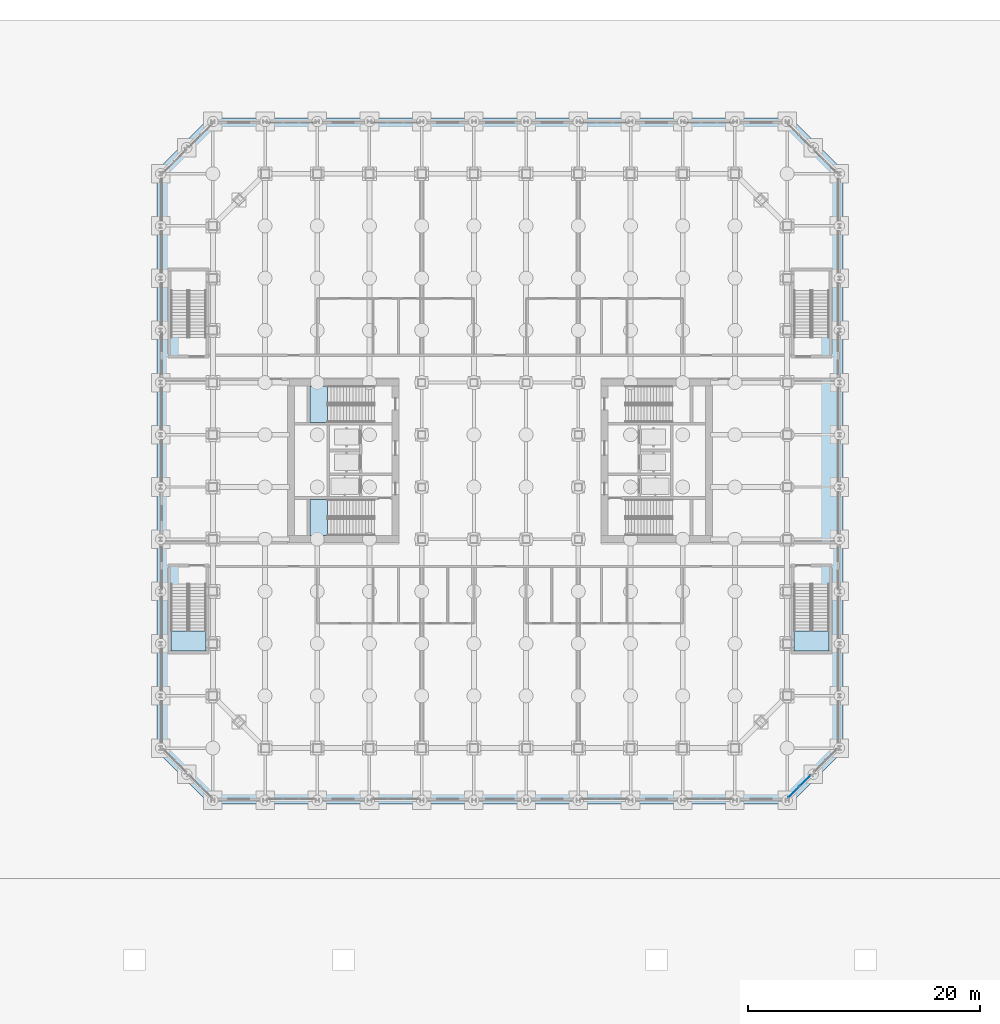
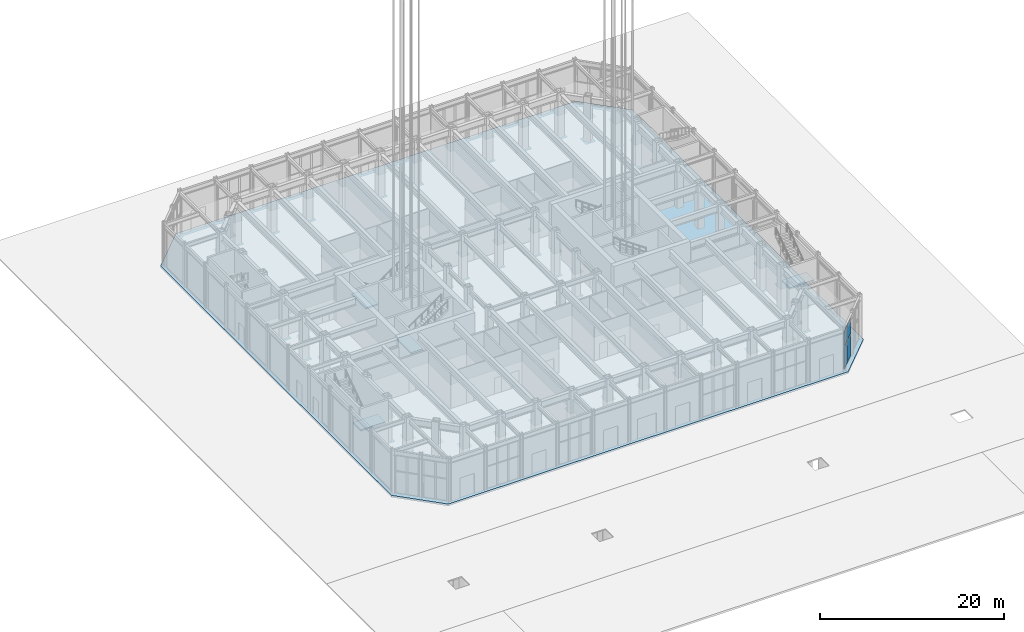
# One storey, part 15 of 39: 5 slabs, 4 plates, 5 elements without a shape of their own.
"""IFC4 building model written with IfcOpenShell, lengths in metres."""

from ifc_helpers import new_model, si_unit, direction, frame, origin, origin_2d, place, context, subcontext, project, spatial, polyline, rectangle, outline, extrude, material, layer, layer_set, type_object, element, aggregate, save


model = new_model("IFC4")

# Units and contexts
model_context = context("Model", 3, precision=1e-05, world=origin(), true_north=direction((0.0, 1.0)))
body_context = subcontext(model_context, "Body", "Model", "MODEL_VIEW")
ifc_project = project(units=[si_unit("LENGTHUNIT", "METRE"), si_unit("AREAUNIT", "SQUARE_METRE"), si_unit("VOLUMEUNIT", "CUBIC_METRE"), si_unit("PLANEANGLEUNIT", "RADIAN"), si_unit("MASSUNIT", "GRAM", prefix="KILO")], contexts=[model_context])

# Site, building, storey
site_placement = place(None, origin())
site = spatial("IfcSite", under=ifc_project, at=site_placement, CompositionType="ELEMENT")
building_placement = place(site_placement, origin())
building = spatial("IfcBuilding", under=site, at=building_placement, Name="Msasa Ring Tower", CompositionType="ELEMENT")
storey_placement = place(building_placement, origin())
storey = spatial("IfcBuildingStorey", under=building, at=storey_placement, Name="L00", CompositionType="ELEMENT", Elevation=0.0)

# Curtain wall, plates
ifc_material_1 = material(Name="Aluminium curtain wall with clear glass", Category="aluminium")
curtain_wall_type = type_object("IfcCurtainWallType", Name="CW-K PODIUM CORNER CURTAIN WALL", PredefinedType="NOTDEFINED", material=ifc_material_1)
curtain_wall_placement = place(storey_placement, origin())
curtain_wall = element("IfcCurtainWall", 1, at=curtain_wall_placement, inside=storey, type_object=curtain_wall_type, Name="Podium corner curtain wall SE L00", PredefinedType="NOTDEFINED")
ifc_material_2 = material(Name="Clear laminated insulating glass unit", Category="glass")
ifc_layer_1 = layer(ifc_material_2, 0.031982421875)
ifc_layer_set_1 = layer_set([ifc_layer_1], Name="CW-K GLASS PANEL 32")
plate_type = type_object("IfcPlateType", Name="CW-K GLASS PANEL 32", PredefinedType="CURTAIN_PANEL", material=ifc_layer_set_1)
plate_1_placement = place(storey_placement, frame((25.320556640625, -28.5380859375, 0.070068359375), z_axis=(0.0, 0.0, 1.0), x_axis=(0.707106781187, 0.707106781187, 0.0)))
plate_1 = element("IfcPlate", 2, at=plate_1_placement, type_object=plate_type, Name="CW-K panel 1.1", PredefinedType="CURTAIN_PANEL", context=body_context, shape_type="SweptSolid", body=[
    extrude(rectangle(XDim=1.29833984375, YDim=0.031982421875, at=origin_2d()), origin(), (0.0, 0.0, 1.0), 2.89501953125),
])
plate_2_placement = place(storey_placement, frame((25.320556640625, -28.5380859375, 3.034912109375), z_axis=(0.0, 0.0, 1.0), x_axis=(0.707106781187, 0.707106781187, 0.0)))
plate_2 = element("IfcPlate", 3, at=plate_2_placement, type_object=plate_type, Name="CW-K panel 1.2", PredefinedType="CURTAIN_PANEL", context=body_context, shape_type="SweptSolid", body=[
    extrude(rectangle(XDim=1.29833984375, YDim=0.031982421875, at=origin_2d()), origin(), (0.0, 0.0, 1.0), 2.02783203125),
])
plate_3_placement = place(storey_placement, frame((26.2880859375, -27.570556640625, 0.070068359375), z_axis=(0.0, 0.0, 1.0), x_axis=(0.707106781187, 0.707106781187, 0.0)))
plate_3 = element("IfcPlate", 4, at=plate_3_placement, type_object=plate_type, Name="CW-K panel 2.1", PredefinedType="CURTAIN_PANEL", context=body_context, shape_type="SweptSolid", body=[
    extrude(rectangle(XDim=1.29833984375, YDim=0.031982421875, at=origin_2d()), origin(), (0.0, 0.0, 1.0), 2.89501953125),
])
plate_4_placement = place(storey_placement, frame((26.2880859375, -27.570556640625, 3.034912109375), z_axis=(0.0, 0.0, 1.0), x_axis=(0.707106781187, 0.707106781187, 0.0)))
plate_4 = element("IfcPlate", 5, at=plate_4_placement, type_object=plate_type, Name="CW-K panel 2.2", PredefinedType="CURTAIN_PANEL", context=body_context, shape_type="SweptSolid", body=[
    extrude(rectangle(XDim=1.29833984375, YDim=0.031982421875, at=origin_2d()), origin(), (0.0, 0.0, 1.0), 2.02783203125),
])
aggregate(curtain_wall, [plate_1, plate_2, plate_3, plate_4])

# Stair, slab
ifc_material_3 = material(Name="Concrete C40/50", Category="concrete")
stair_type_1 = type_object("IfcStairType", Name="STC CORE STAIR 32 RISERS 187.5", PredefinedType="HALF_TURN_STAIR", material=ifc_material_3)
stair_1_placement = place(storey_placement, origin())
stair_1 = element("IfcStair", 6, at=stair_1_placement, inside=storey, type_object=stair_type_1, Name="Core stair SWA L00", PredefinedType="HALF_TURN_STAIR")
ifc_material_4 = material(Name="Concrete C40/50", Category="concrete")
ifc_layer_2 = layer(ifc_material_4, 0.199951171875)
ifc_layer_set_2 = layer_set([ifc_layer_2], Name="LD1 CORE STAIR LANDING 200")
slab_type_1 = type_object("IfcSlabType", Name="LD1 CORE STAIR LANDING 200", PredefinedType="LANDING", material=ifc_layer_set_2)
slab_1_placement = place(storey_placement, frame((0.0, 0.0, 2.800048828125)))
slab_1 = element("IfcSlab", 7, at=slab_1_placement, type_object=slab_type_1, Name="SWA landing 1", PredefinedType="LANDING", context=body_context, shape_type="SweptSolid", body=[
    extrude(outline(polyline([(-16.375, -6.449951171875), (-14.85009765625, -6.449951171875), (-14.85009765625, -3.324951171875), (-16.375, -3.324951171875), (-16.375, -6.449951171875)])), origin(), (0.0, 0.0, 1.0), 0.199951171875),
])
aggregate(stair_1, [slab_1])

stair_2_placement = place(storey_placement, origin())
stair_2 = element("IfcStair", 8, at=stair_2_placement, inside=storey, type_object=stair_type_1, Name="Core stair SWB L00", PredefinedType="HALF_TURN_STAIR")
slab_2_placement = place(storey_placement, frame((0.0, 0.0, 2.800048828125)))
slab_2 = element("IfcSlab", 9, at=slab_2_placement, type_object=slab_type_1, Name="SWB landing 1", PredefinedType="LANDING", context=body_context, shape_type="SweptSolid", body=[
    extrude(outline(polyline([(-16.375, 3.324951171875), (-14.85009765625, 3.324951171875), (-14.85009765625, 6.449951171875), (-16.375, 6.449951171875), (-16.375, 3.324951171875)])), origin(), (0.0, 0.0, 1.0), 0.199951171875),
])
aggregate(stair_2, [slab_2])

ifc_material_5 = material(Name="Concrete C40/50", Category="concrete")
stair_type_2 = type_object("IfcStairType", Name="STP PODIUM STAIR 32 RISERS 187.5", PredefinedType="HALF_TURN_STAIR", material=ifc_material_5)
stair_3_placement = place(storey_placement, origin())
stair_3 = element("IfcStair", 10, at=stair_3_placement, inside=storey, type_object=stair_type_2, Name="Podium stair PES L00", PredefinedType="HALF_TURN_STAIR")
ifc_material_6 = material(Name="Concrete C40/50", Category="concrete")
ifc_layer_3 = layer(ifc_material_6, 0.199951171875)
ifc_layer_set_3 = layer_set([ifc_layer_3], Name="LD2 PODIUM STAIR LANDING 200")
slab_type_2 = type_object("IfcSlabType", Name="LD2 PODIUM STAIR LANDING 200", PredefinedType="LANDING", material=ifc_layer_set_3)
slab_3_placement = place(storey_placement, frame((0.0, 0.0, 2.800048828125)))
slab_3 = element("IfcSlab", 11, at=slab_3_placement, type_object=slab_type_2, Name="PES landing 1", PredefinedType="LANDING", context=body_context, shape_type="SweptSolid", body=[
    extrude(outline(polyline([(25.324951171875, -16.375), (28.375, -16.375), (28.375, -14.675048828125), (25.324951171875, -14.675048828125), (25.324951171875, -16.375)])), origin(), (0.0, 0.0, 1.0), 0.199951171875),
])
aggregate(stair_3, [slab_3])

stair_4_placement = place(storey_placement, origin())
stair_4 = element("IfcStair", 12, at=stair_4_placement, inside=storey, type_object=stair_type_2, Name="Podium stair PWS L00", PredefinedType="HALF_TURN_STAIR")
slab_4_placement = place(storey_placement, frame((0.0, 0.0, 2.800048828125)))
slab_4 = element("IfcSlab", 13, at=slab_4_placement, type_object=slab_type_2, Name="PWS landing 1", PredefinedType="LANDING", context=body_context, shape_type="SweptSolid", body=[
    extrude(outline(polyline([(-28.375, -16.375), (-25.324951171875, -16.375), (-25.324951171875, -14.675048828125), (-28.375, -14.675048828125), (-28.375, -16.375)])), origin(), (0.0, 0.0, 1.0), 0.199951171875),
])
aggregate(stair_4, [slab_4])

# Slab
ifc_material_7 = material(Name="Concrete C40/50", Category="concrete")
ifc_layer_4 = layer(ifc_material_7, 0.25)
ifc_layer_set_4 = layer_set([ifc_layer_4], Name="S0 GROUND SLAB 250")
slab_type_3 = type_object("IfcSlabType", Name="S0 GROUND SLAB 250", PredefinedType="BASESLAB", material=ifc_layer_set_4)
slab_5_placement = place(storey_placement, frame((0.0, 0.0, -0.25)))
element("IfcSlab", 14, at=slab_5_placement, inside=storey, type_object=slab_type_3, Name="Ground slab L00", PredefinedType="BASESLAB", context=body_context, shape_type="SweptSolid", body=[
    extrude(outline(polyline([(-25.050048828125, -29.550048828125), (25.050048828125, -29.550048828125), (29.550048828125, -25.050048828125), (29.550048828125, 25.050048828125), (25.050048828125, 29.550048828125), (-25.050048828125, 29.550048828125), (-29.550048828125, 25.050048828125), (-29.550048828125, -25.050048828125), (-25.050048828125, -29.550048828125)])), origin(), (0.0, 0.0, 1.0), 0.25),
])

save(model, "model.ifc")
